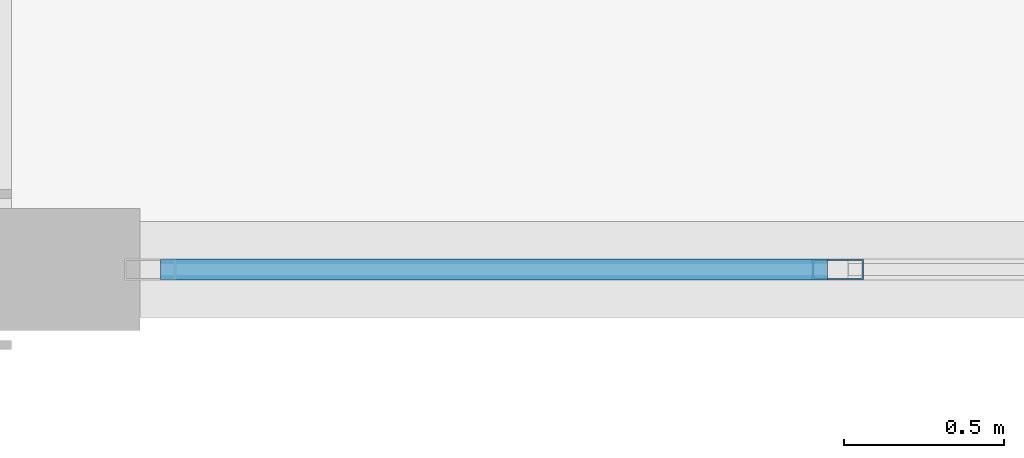
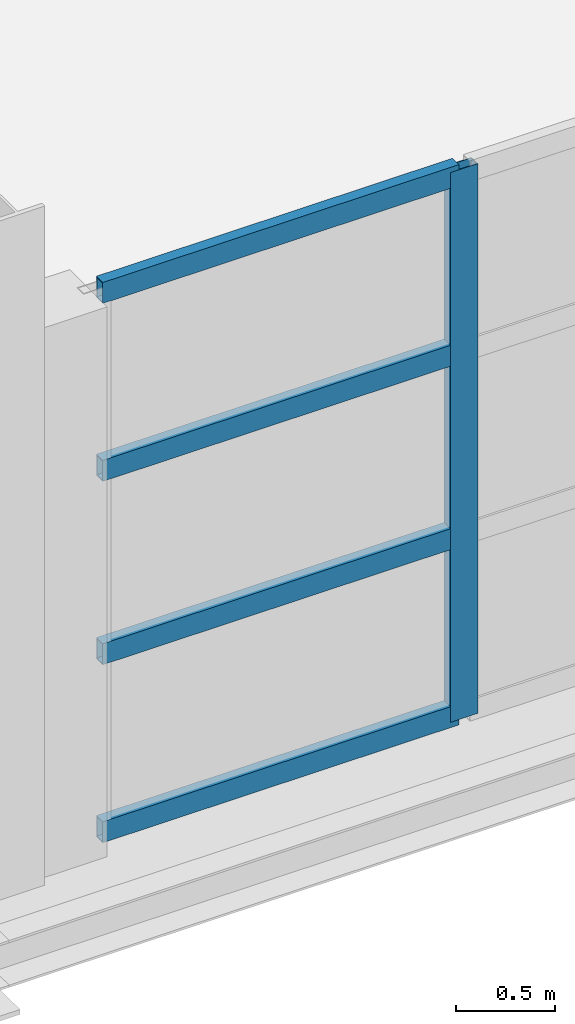
# One storey, part 23 of 158: 5 members, 1 element without a shape of its own.
"""IFC4 building model written with IfcOpenShell, lengths in metres."""

import ifcopenshell
import ifcopenshell.guid

model = None  # the IFC model being written
_history = None  # IfcOwnerHistory: only IFC2X3 demands one
_inside = {}  # id of a spatial element -> (the spatial element, [elements in it])
_under = {}  # id of a project, library or spatial element -> (it, [spatial elements below it])
_declared = {}  # id of a project -> (the project, [libraries it declares])
_typed = {}  # id of a type object -> (the type object, [elements of that type])
_made_of = {}  # id of a material, layer set ... -> (it, [elements and type objects made of it])


def new_model(schema):
    """Start an empty IFC model of exactly this schema.

    Asked for "IFC4X3", IfcOpenShell would pick the latest addendum, in which some entities
    have other attributes; the version numbers below select the first issue.
    IFC2X3 requires an IfcOwnerHistory on every rooted entity: one is made here for all.
    """
    global model, _history
    if schema == "IFC4X3":
        model = ifcopenshell.file(schema_version=(4, 3, 0, 0))
    else:
        model = ifcopenshell.file(schema=schema)
    _inside.clear()
    _under.clear()
    _declared.clear()
    _typed.clear()
    _made_of.clear()
    _history = None
    if model.schema == "IFC2X3":
        org = make("IfcOrganization", Name="unknown")
        user = make(
            "IfcPersonAndOrganization",
            ThePerson=make("IfcPerson", FamilyName="unknown"),
            TheOrganization=org,
        )
        app = make(
            "IfcApplication",
            ApplicationDeveloper=org,
            Version="unknown",
            ApplicationFullName="unknown",
            ApplicationIdentifier="unknown",
        )
        _history = make(
            "IfcOwnerHistory",
            OwningUser=user,
            OwningApplication=app,
            ChangeAction="ADDED",
            CreationDate=0,
        )
    return model


def make(cls, **values):
    """One entity of the class cls with the attributes given. An attribute that is None is left unset."""
    return model.create_entity(
        cls, **{name: value for name, value in values.items() if value is not None}
    )


def rooted(cls, **values):
    """An entity with a GlobalId (a new one), such as an element, a storey or a relation."""
    return make(cls, GlobalId=ifcopenshell.guid.new(), OwnerHistory=_history, **values)


def si_unit(unit_type, name, prefix=None):
    """IfcSIUnit, for example si_unit("LENGTHUNIT", "METRE", prefix="MILLI")."""
    return make("IfcSIUnit", UnitType=unit_type, Prefix=prefix, Name=name)


def assignment(units):
    """IfcUnitAssignment: the units of a project."""
    return None if units is None else make("IfcUnitAssignment", Units=units)


def point(xyz):
    """IfcCartesianPoint."""
    return None if xyz is None else make("IfcCartesianPoint", Coordinates=xyz)


def direction(xyz):
    """IfcDirection."""
    return None if xyz is None else make("IfcDirection", DirectionRatios=xyz)


def frame(location, z_axis=None, x_axis=None):
    """IfcAxis2Placement3D, a coordinate frame: its origin and axes. An axis left out is left unset."""
    return make(
        "IfcAxis2Placement3D",
        Location=point(location),
        Axis=direction(z_axis),
        RefDirection=direction(x_axis),
    )


def frame_2d(location, x_axis=None):
    """IfcAxis2Placement2D, a coordinate frame in the plane: its origin and x axis."""
    return make(
        "IfcAxis2Placement2D", Location=point(location), RefDirection=direction(x_axis)
    )


def origin():
    """The frame at (0, 0, 0) with its axes left unset."""
    return frame((0.0, 0.0, 0.0))


def origin_2d():
    """The frame at (0, 0) in the plane with its x axis left unset."""
    return frame_2d((0.0, 0.0))


def place(relative_to, where):
    """IfcLocalPlacement: puts the frame where relative to a parent placement (None: the world)."""
    return make(
        "IfcLocalPlacement", PlacementRelTo=relative_to, RelativePlacement=where
    )


def context(
    kind, dimensions, precision=None, world=None, true_north=None, identifier=None
):
    """IfcGeometricRepresentationContext, for example the 3D "Model" context."""
    return make(
        "IfcGeometricRepresentationContext",
        ContextIdentifier=identifier,
        ContextType=kind,
        CoordinateSpaceDimension=dimensions,
        Precision=precision,
        WorldCoordinateSystem=world,
        TrueNorth=true_north,
    )


def subcontext(parent, identifier, kind, view, scale=None):
    """IfcGeometricRepresentationSubContext, for example "Body" below "Model"."""
    return make(
        "IfcGeometricRepresentationSubContext",
        ContextIdentifier=identifier,
        ContextType=kind,
        ParentContext=parent,
        TargetScale=scale,
        TargetView=view,
    )


def project(units=None, contexts=None):
    """IfcProject with its units and contexts."""
    return rooted(
        "IfcProject",
        Name="project",
        RepresentationContexts=contexts,
        UnitsInContext=assignment(units),
    )


def spatial(cls, under=None, at=None, **own):
    """A site, building, storey or space (cls), placed at a placement, below another one or the project."""
    s = rooted(cls, ObjectPlacement=at, **own)
    if under is not None:
        _under.setdefault(under.id(), (under, []))[1].append(s)
    return s


def profile(cls, at=None, kind="AREA", **sizes):
    """A parametric profile (cls). Its sizes go by their IFC names, for example OverallWidth=200.0."""
    return make(cls, ProfileType=kind, Position=at, **sizes)


def hollow_rectangle(**sizes):
    """IfcRectangleHollowProfileDef."""
    return profile("IfcRectangleHollowProfileDef", **sizes)


def extrude(swept, where, along, depth):
    """IfcExtrudedAreaSolid: the profile swept, set in the frame where, extruded along a direction by depth."""
    return make(
        "IfcExtrudedAreaSolid",
        SweptArea=swept,
        Position=where,
        ExtrudedDirection=direction(along),
        Depth=depth,
    )


def shape(context_of_items, identifier, shape_type, items):
    """IfcShapeRepresentation: the items that make up one representation, for example the "Body"."""
    return make(
        "IfcShapeRepresentation",
        ContextOfItems=context_of_items,
        RepresentationIdentifier=identifier,
        RepresentationType=shape_type,
        Items=items,
    )


def material(Name=None, Category=None):
    """IfcMaterial."""
    return make("IfcMaterial", Name=Name, Category=Category)


def layer(
    of_material, thickness, ventilated=None, Name=None, Category=None, Priority=None
):
    """IfcMaterialLayer: one layer of a wall or slab, of a material (None: an air gap)."""
    return make(
        "IfcMaterialLayer",
        Material=of_material,
        LayerThickness=thickness,
        IsVentilated=ventilated,
        Name=Name,
        Category=Category,
        Priority=Priority,
    )


def layer_set(layers, Name=None):
    """IfcMaterialLayerSet."""
    return make("IfcMaterialLayerSet", MaterialLayers=layers, LayerSetName=Name)


def material_profile(
    of_material, cross_section, Name=None, Category=None, Priority=None
):
    """IfcMaterialProfile: a cross section and its material."""
    return make(
        "IfcMaterialProfile",
        Name=Name,
        Material=of_material,
        Profile=cross_section,
        Priority=Priority,
        Category=Category,
    )


def profile_set(profiles, Name=None, composite=None):
    """IfcMaterialProfileSet."""
    return make(
        "IfcMaterialProfileSet",
        Name=Name,
        MaterialProfiles=profiles,
        CompositeProfile=composite,
    )


def made_of(thing, what):
    """Note that an element or type object is made of a material, layer set ...; save() writes the relation."""
    if what is not None:
        _made_of.setdefault(what.id(), (what, []))[1].append(thing)
    return thing


def type_object(cls, material=None, **own):
    """A type object (cls), such as IfcWallType, which elements share."""
    return made_of(rooted(cls, **own), material)


def element(
    cls,
    number,
    at=None,
    inside=None,
    cuts=None,
    type_object=None,
    material=None,
    context=None,
    identifier="Body",
    shape_type=None,
    held_by="IfcProductDefinitionShape",
    body=None,
    shapes=None,
    **own,
):
    """One element of the class cls, such as IfcWall. Its Tag is "e" and its number.

    at: its placement. inside: the storey or other place that contains it. cuts: it is an
    opening in that element (IfcRelVoidsElement). A single representation is given by context,
    identifier, shape_type and body (its items); several are given by shapes. held_by: the class
    of the entity that holds the representations. save() writes the other relations.
    """
    e = rooted(cls, Tag="e%d" % number, ObjectPlacement=at, **own)
    if body is not None:
        shapes = [shape(context, identifier, shape_type, body)]
    if shapes is not None:
        e.Representation = make(held_by, Representations=shapes)
    if inside is not None:
        _inside.setdefault(inside.id(), (inside, []))[1].append(e)
    if cuts is not None:
        rooted(
            "IfcRelVoidsElement", RelatingBuildingElement=cuts, RelatedOpeningElement=e
        )
    if type_object is not None:
        _typed.setdefault(type_object.id(), (type_object, []))[1].append(e)
    return made_of(e, material)


def aggregate(whole, parts):
    """IfcRelAggregates: a whole, such as a stair, and the parts it consists of."""
    return rooted("IfcRelAggregates", RelatingObject=whole, RelatedObjects=parts)


def save(model, path):
    """Write the relations noted so far, then the file.

    IfcRelAggregates (storeys below a building ...), IfcRelContainedInSpatialStructure (elements
    in a storey), IfcRelDefinesByType, IfcRelAssociatesMaterial and IfcRelDeclares: one each for
    every whole, place, type object, material and project.
    """
    for whole, parts in _under.values():
        aggregate(whole, parts)
    for where, things in _inside.values():
        rooted(
            "IfcRelContainedInSpatialStructure",
            RelatedElements=things,
            RelatingStructure=where,
        )
    for kind, things in _typed.values():
        rooted("IfcRelDefinesByType", RelatedObjects=things, RelatingType=kind)
    for what, things in _made_of.values():
        rooted("IfcRelAssociatesMaterial", RelatedObjects=things, RelatingMaterial=what)
    for by, libraries in _declared.values():
        rooted("IfcRelDeclares", RelatingContext=by, RelatedDefinitions=libraries)
    model.write(path)


model = new_model("IFC4")

# Units and contexts
model_context = context("Model", 3, precision=1e-05, world=origin(), true_north=direction((0.0, 1.0)))
body_context = subcontext(model_context, "Body", "Model", "MODEL_VIEW")
ifc_project = project(units=[si_unit("LENGTHUNIT", "METRE"), si_unit("AREAUNIT", "SQUARE_METRE"), si_unit("VOLUMEUNIT", "CUBIC_METRE"), si_unit("PLANEANGLEUNIT", "RADIAN"), si_unit("MASSUNIT", "GRAM", prefix="KILO")], contexts=[model_context])

# Site, building, storey
site_placement = place(None, origin())
site = spatial("IfcSite", under=ifc_project, at=site_placement, CompositionType="ELEMENT")
building_placement = place(site_placement, origin())
building = spatial("IfcBuilding", under=site, at=building_placement, Name="Zilviju Railside Exhibition Hall", CompositionType="ELEMENT")
storey_placement = place(building_placement, frame((0.0, 0.0, 4.199951171875)))
storey = spatial("IfcBuildingStorey", under=building, at=storey_placement, Name="L02", CompositionType="ELEMENT", Elevation=4.199951171875)

# Curtain wall, members
ifc_material_1 = material(Name="Thermally broken aluminium-steel triple-glazed curtain wall", Category="steel")
ifc_layer = layer(ifc_material_1, 0.179931640625)
ifc_layer_set = layer_set([ifc_layer], Name="Thermally broken aluminium-steel triple-glazed curtain wall")
curtain_wall_type = type_object("IfcCurtainWallType", Name="CW-BAY-12", PredefinedType="USERDEFINED", material=ifc_layer_set)
curtain_wall_placement = place(storey_placement, origin())
curtain_wall = element("IfcCurtainWall", 1, at=curtain_wall_placement, inside=storey, type_object=curtain_wall_type, Name="Winter Concourse South Upper Curtain Wall (60..72)", ObjectType="GLAZED CURTAIN WALL", PredefinedType="USERDEFINED")
ifc_material_2 = material(Name="Thermally broken anodized aluminium mullion", Category="aluminium")
ifc_material_profile_1 = material_profile(ifc_material_2, hollow_rectangle(XDim=0.06494140625, YDim=0.159912109375, WallThickness=0.0048828125, at=origin_2d()), Name="MULLION 160x65x5")
ifc_profile_set_1 = profile_set([ifc_material_profile_1], Name="Thermally broken anodized aluminium mullion")
member_type_1 = type_object("IfcMemberType", Name="CWM-65x160", PredefinedType="MULLION", material=ifc_profile_set_1)
member_1_placement = place(storey_placement, frame((62.72998046875, 0.0, 0.0), z_axis=(0.0, 0.0, 1.0), x_axis=(0.0, -1.0, 0.0)))
member_1 = element("IfcMember", 2, at=member_1_placement, type_object=member_type_1, Name="CW-12 mullion 5", PredefinedType="MULLION", context=body_context, shape_type="SweptSolid", body=[
    extrude(hollow_rectangle(XDim=0.06494140625, YDim=0.159912109375, WallThickness=0.0048828125, at=origin_2d()), origin(), (0.0, 0.0, 1.0), 3.400146484375),
])
ifc_material_3 = material(Name="Thermally broken anodized aluminium transom", Category="aluminium")
ifc_material_profile_2 = material_profile(ifc_material_3, hollow_rectangle(XDim=0.06494140625, YDim=0.1298828125, WallThickness=0.0048828125, at=origin_2d()), Name="TRANSOM 130x65x5")
ifc_profile_set_2 = profile_set([ifc_material_profile_2], Name="Thermally broken anodized aluminium transom")
member_type_2 = type_object("IfcMemberType", Name="CWT-65x130", PredefinedType="USERDEFINED", material=ifc_profile_set_2)
member_2_placement = place(storey_placement, frame((62.697509765625, 0.0, 0.032470703125), z_axis=(-1.0, 0.0, 0.0), x_axis=(0.0, -1.0, 0.0)))
member_2 = element("IfcMember", 3, at=member_2_placement, type_object=member_type_2, Name="CW-12 transom 5.1", ObjectType="TRANSOM", PredefinedType="USERDEFINED", context=body_context, shape_type="SweptSolid", body=[
    extrude(hollow_rectangle(XDim=0.06494140625, YDim=0.1298828125, WallThickness=0.0048828125, at=origin_2d()), origin(), (0.0, 0.0, 1.0), 2.08251953125),
])
member_3_placement = place(storey_placement, frame((62.697509765625, 0.0, 1.133056640625), z_axis=(-1.0, 0.0, 0.0), x_axis=(0.0, -1.0, 0.0)))
member_3 = element("IfcMember", 4, at=member_3_placement, type_object=member_type_2, Name="CW-12 transom 5.2", ObjectType="TRANSOM", PredefinedType="USERDEFINED", context=body_context, shape_type="SweptSolid", body=[
    extrude(hollow_rectangle(XDim=0.06494140625, YDim=0.1298828125, WallThickness=0.0048828125, at=origin_2d()), origin(), (0.0, 0.0, 1.0), 2.08251953125),
])
member_4_placement = place(storey_placement, frame((62.697509765625, 0.0, 2.26708984375), z_axis=(-1.0, 0.0, 0.0), x_axis=(0.0, -1.0, 0.0)))
member_4 = element("IfcMember", 5, at=member_4_placement, type_object=member_type_2, Name="CW-12 transom 5.3", ObjectType="TRANSOM", PredefinedType="USERDEFINED", context=body_context, shape_type="SweptSolid", body=[
    extrude(hollow_rectangle(XDim=0.06494140625, YDim=0.1298828125, WallThickness=0.0048828125, at=origin_2d()), origin(), (0.0, 0.0, 1.0), 2.08251953125),
])
member_5_placement = place(storey_placement, frame((62.697509765625, 0.0, 3.367431640625), z_axis=(-1.0, 0.0, 0.0), x_axis=(0.0, -1.0, 0.0)))
member_5 = element("IfcMember", 6, at=member_5_placement, type_object=member_type_2, Name="CW-12 transom 5.4", ObjectType="TRANSOM", PredefinedType="USERDEFINED", context=body_context, shape_type="SweptSolid", body=[
    extrude(hollow_rectangle(XDim=0.06494140625, YDim=0.1298828125, WallThickness=0.0048828125, at=origin_2d()), origin(), (0.0, 0.0, 1.0), 2.08251953125),
])
aggregate(curtain_wall, [member_1, member_2, member_3, member_4, member_5])

save(model, "model.ifc")
